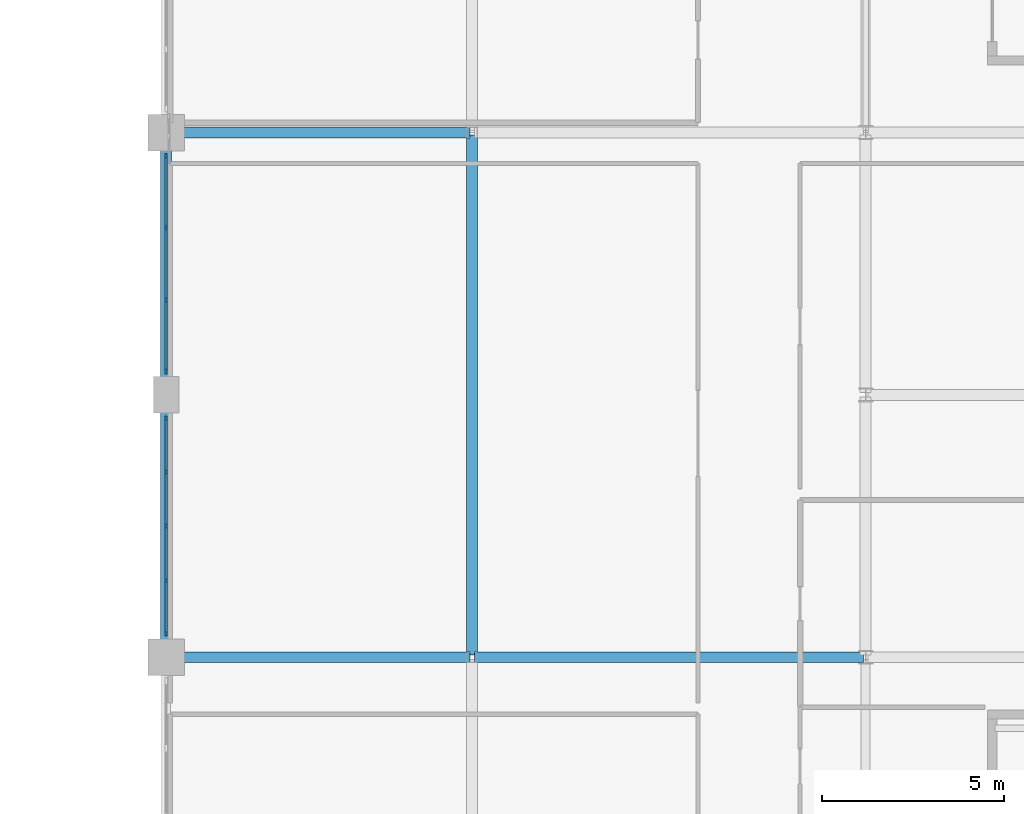
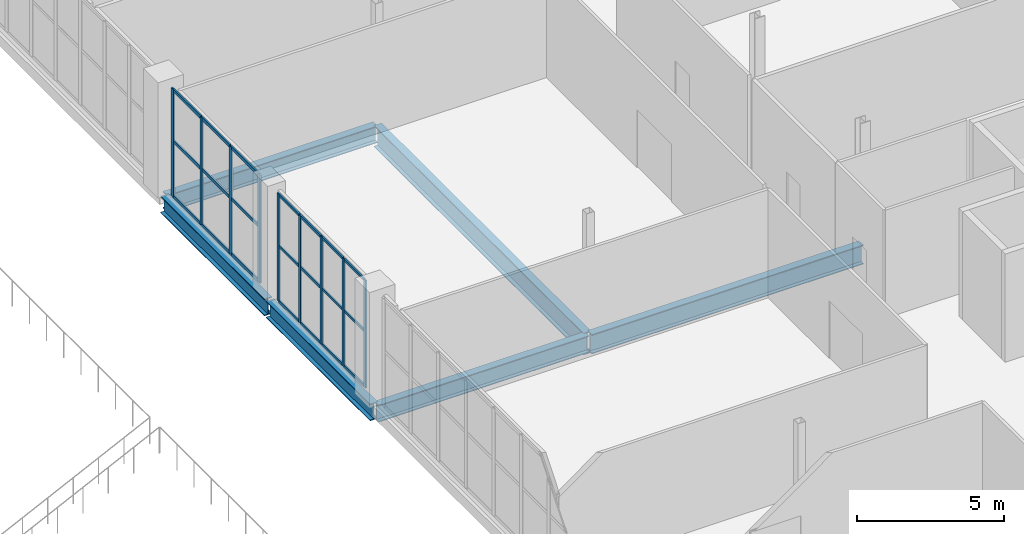
# One storey, part 45 of 104: 30 members, 6 beams, 2 elements without a shape of their own.
"""IFC4 building model written with IfcOpenShell, lengths in metres."""

from ifc_helpers import new_model, si_unit, direction, frame, origin, origin_2d, place, context, subcontext, project, spatial, rectangle, i_section, extrude, material, material_profile, profile_set, type_object, element, aggregate, save


model = new_model("IFC4")

# Units and contexts
model_context = context("Model", 3, precision=1e-05, world=origin(), true_north=direction((0.0, 1.0)))
body_context = subcontext(model_context, "Body", "Model", "MODEL_VIEW")
ifc_project = project(units=[si_unit("LENGTHUNIT", "METRE"), si_unit("AREAUNIT", "SQUARE_METRE"), si_unit("VOLUMEUNIT", "CUBIC_METRE"), si_unit("PLANEANGLEUNIT", "RADIAN"), si_unit("MASSUNIT", "GRAM", prefix="KILO")], contexts=[model_context])

# Site, building, storey
site_placement = place(None, origin())
site = spatial("IfcSite", under=ifc_project, at=site_placement, CompositionType="ELEMENT")
building_placement = place(site_placement, origin())
building = spatial("IfcBuilding", under=site, at=building_placement, Name="Koshinbarg Plaza Stadium", CompositionType="ELEMENT")
storey_placement = place(building_placement, frame((0.0, 0.0, 19.800048828125)))
storey = spatial("IfcBuildingStorey", under=building, at=storey_placement, Name="L04", CompositionType="ELEMENT", Elevation=19.800048828125)

# Beams
ifc_material_1 = material(Name="Steel S355", Category="steel")
ifc_material_profile_1 = material_profile(ifc_material_1, i_section(OverallWidth=0.300048828125, OverallDepth=0.699951171875, WebThickness=0.01708984375, FlangeThickness=0.031982421875, at=origin_2d()), Name="HEB 700")
ifc_profile_set_1 = profile_set([ifc_material_profile_1], Name="Steel S355")
beam_type_1 = type_object("IfcBeamType", Name="BM-SGIR-03", PredefinedType="USERDEFINED", material=ifc_profile_set_1)
for number, where, z_axis, x_axis, name in (
    (1, (189.4599609375, 97.5, -0.650146484375), (1.0, 0.0, 0.0), (0.0, 1.0, 0.0), "L04 X girder N/18-19"),
    (2, (189.4599609375, 111.89990234375, -0.650146484375), (1.0, 0.0, 0.0), (0.0, 1.0, 0.0), "L04 X girder Q/18-19"),
):
    element("IfcBeam", number, at=place(storey_placement, frame(where, z_axis=z_axis, x_axis=x_axis)), inside=storey, type_object=beam_type_1, Name=name, ObjectType="GIRDER", PredefinedType="USERDEFINED", context=body_context, shape_type="SweptSolid", body=[
        extrude(i_section(OverallWidth=0.300048828125, OverallDepth=0.699951171875, WebThickness=0.01708984375, FlangeThickness=0.031982421875, at=origin_2d()), origin(), (0.0, 0.0, 1.0), 8.280029296875),
    ])
beam_1_placement = place(storey_placement, frame((189.39990234375, 97.56005859375, -0.650146484375), z_axis=(0.0, 1.0, 0.0), x_axis=(-1.0, 0.0, 0.0)))
element("IfcBeam", 3, at=beam_1_placement, inside=storey, type_object=beam_type_1, Name="L04 Y girder 18/N-P", ObjectType="GIRDER", PredefinedType="USERDEFINED", context=body_context, shape_type="SweptSolid", body=[
    extrude(i_section(OverallWidth=0.300048828125, OverallDepth=0.699951171875, WebThickness=0.01708984375, FlangeThickness=0.031982421875, at=origin_2d()), origin(), (0.0, 0.0, 1.0), 7.079833984375),
])
beam_2_placement = place(storey_placement, frame((189.39990234375, 104.760009765625, -0.650146484375), z_axis=(0.0, 1.0, 0.0), x_axis=(-1.0, 0.0, 0.0)))
element("IfcBeam", 4, at=beam_2_placement, inside=storey, type_object=beam_type_1, Name="L04 Y girder 18/P-Q", ObjectType="GIRDER", PredefinedType="USERDEFINED", context=body_context, shape_type="SweptSolid", body=[
    extrude(i_section(OverallWidth=0.300048828125, OverallDepth=0.699951171875, WebThickness=0.01708984375, FlangeThickness=0.031982421875, at=origin_2d()), origin(), (0.0, 0.0, 1.0), 7.080078125),
])
ifc_material_profile_2 = material_profile(ifc_material_1, i_section(OverallWidth=0.300048828125, OverallDepth=0.800048828125, WebThickness=0.017578125, FlangeThickness=0.032958984375, at=origin_2d()), Name="HEB 800")
ifc_profile_set_2 = profile_set([ifc_material_profile_2], Name="Steel S355")
beam_type_2 = type_object("IfcBeamType", Name="BM-SGIR-04", PredefinedType="USERDEFINED", material=ifc_profile_set_2)
beam_3_placement = place(storey_placement, frame((197.860107421875, 97.5, -0.699951171875), z_axis=(1.0, 0.0, 0.0), x_axis=(0.0, 1.0, 0.0)))
element("IfcBeam", 5, at=beam_3_placement, inside=storey, type_object=beam_type_2, Name="L04 X girder N/19-20", ObjectType="GIRDER", PredefinedType="USERDEFINED", context=body_context, shape_type="SweptSolid", body=[
    extrude(i_section(OverallWidth=0.300048828125, OverallDepth=0.800048828125, WebThickness=0.017578125, FlangeThickness=0.032958984375, at=origin_2d()), origin(), (0.0, 0.0, 1.0), 10.679931640625),
])
ifc_material_profile_3 = material_profile(ifc_material_1, i_section(OverallWidth=0.300048828125, OverallDepth=0.89990234375, WebThickness=0.0185546875, FlangeThickness=0.034912109375, at=origin_2d()), Name="HEB 900")
ifc_profile_set_3 = profile_set([ifc_material_profile_3], Name="Steel S355")
beam_type_3 = type_object("IfcBeamType", Name="BM-SGIR-05", PredefinedType="USERDEFINED", material=ifc_profile_set_3)
beam_4_placement = place(storey_placement, frame((197.800048828125, 97.56005859375, -0.75), z_axis=(0.0, 1.0, 0.0), x_axis=(-1.0, 0.0, 0.0)))
element("IfcBeam", 6, at=beam_4_placement, inside=storey, type_object=beam_type_3, Name="L04 Y girder 19/N-Q", ObjectType="GIRDER", PredefinedType="USERDEFINED", context=body_context, shape_type="SweptSolid", body=[
    extrude(i_section(OverallWidth=0.300048828125, OverallDepth=0.89990234375, WebThickness=0.0185546875, FlangeThickness=0.034912109375, at=origin_2d()), origin(), (0.0, 0.0, 1.0), 14.280029296875),
])

# Curtain wall, members
ifc_material_2 = material(Name="Thermally broken anodised aluminium and low-E double glazing", Category="aluminium")
curtain_wall_type_1 = type_object("IfcCurtainWallType", Name="CW-SYS-01", PredefinedType="NOTDEFINED", material=ifc_material_2)
curtain_wall_1_placement = place(storey_placement, origin())
curtain_wall_1 = element("IfcCurtainWall", 7, at=curtain_wall_1_placement, inside=storey, type_object=curtain_wall_type_1, Name="L04 unitised curtain wall CW-L04-128", PredefinedType="NOTDEFINED")
ifc_material_3 = material(Name="Anodised aluminium mullion", Category="aluminium")
ifc_material_profile_4 = material_profile(ifc_material_3, rectangle(XDim=0.06005859375, YDim=0.139892578125, at=origin_2d()), Name="ALU 60x140")
ifc_profile_set_4 = profile_set([ifc_material_profile_4], Name="Anodised aluminium mullion")
member_type_1 = type_object("IfcMemberType", Name="CW-MUL-01", PredefinedType="MULLION", material=ifc_profile_set_4)
member_1_placement = place(storey_placement, frame((189.39990234375, 98.14990234375, 0.0), z_axis=(0.0, 0.0, 1.0), x_axis=(-1.0, 0.0, 0.0)))
member_1 = element("IfcMember", 8, at=member_1_placement, type_object=member_type_1, Name="CW01 mullion 1", PredefinedType="MULLION", context=body_context, shape_type="SweptSolid", body=[
    extrude(rectangle(XDim=0.06005859375, YDim=0.139892578125, at=origin_2d()), origin(), (0.0, 0.0, 1.0), 4.47998046875),
])
member_2_placement = place(storey_placement, frame((189.39990234375, 99.610107421875, 0.0), z_axis=(0.0, 0.0, 1.0), x_axis=(-1.0, 0.0, 0.0)))
member_2 = element("IfcMember", 9, at=member_2_placement, type_object=member_type_1, Name="CW01 mullion 2", PredefinedType="MULLION", context=body_context, shape_type="SweptSolid", body=[
    extrude(rectangle(XDim=0.06005859375, YDim=0.139892578125, at=origin_2d()), origin(), (0.0, 0.0, 1.0), 4.47998046875),
])
member_3_placement = place(storey_placement, frame((189.39990234375, 101.10009765625, 0.0), z_axis=(0.0, 0.0, 1.0), x_axis=(-1.0, 0.0, 0.0)))
member_3 = element("IfcMember", 10, at=member_3_placement, type_object=member_type_1, Name="CW01 mullion 3", PredefinedType="MULLION", context=body_context, shape_type="SweptSolid", body=[
    extrude(rectangle(XDim=0.06005859375, YDim=0.139892578125, at=origin_2d()), origin(), (0.0, 0.0, 1.0), 4.47998046875),
])
member_4_placement = place(storey_placement, frame((189.39990234375, 102.590087890625, 0.0), z_axis=(0.0, 0.0, 1.0), x_axis=(-1.0, 0.0, 0.0)))
member_4 = element("IfcMember", 11, at=member_4_placement, type_object=member_type_1, Name="CW01 mullion 4", PredefinedType="MULLION", context=body_context, shape_type="SweptSolid", body=[
    extrude(rectangle(XDim=0.06005859375, YDim=0.139892578125, at=origin_2d()), origin(), (0.0, 0.0, 1.0), 4.47998046875),
])
member_5_placement = place(storey_placement, frame((189.39990234375, 104.050048828125, 0.0), z_axis=(0.0, 0.0, 1.0), x_axis=(-1.0, 0.0, 0.0)))
member_5 = element("IfcMember", 12, at=member_5_placement, type_object=member_type_1, Name="CW01 mullion 5", PredefinedType="MULLION", context=body_context, shape_type="SweptSolid", body=[
    extrude(rectangle(XDim=0.06005859375, YDim=0.139892578125, at=origin_2d()), origin(), (0.0, 0.0, 1.0), 4.47998046875),
])

curtain_wall_type_2 = type_object("IfcCurtainWallType", Name="CW-SYS-02", PredefinedType="NOTDEFINED", material=ifc_material_2)
curtain_wall_2_placement = place(storey_placement, origin())
curtain_wall_2 = element("IfcCurtainWall", 13, at=curtain_wall_2_placement, inside=storey, type_object=curtain_wall_type_2, Name="L04 unitised curtain wall CW-L04-129", PredefinedType="NOTDEFINED")
ifc_material_profile_5 = material_profile(ifc_material_3, rectangle(XDim=0.06005859375, YDim=0.159912109375, at=origin_2d()), Name="ALU 60x160")
ifc_profile_set_5 = profile_set([ifc_material_profile_5], Name="Anodised aluminium mullion")
member_type_2 = type_object("IfcMemberType", Name="CW-MUL-02", PredefinedType="MULLION", material=ifc_profile_set_5)
member_6_placement = place(storey_placement, frame((189.39990234375, 105.35009765625, 0.0), z_axis=(0.0, 0.0, 1.0), x_axis=(-1.0, 0.0, 0.0)))
member_6 = element("IfcMember", 14, at=member_6_placement, type_object=member_type_2, Name="CW02 mullion 1", PredefinedType="MULLION", context=body_context, shape_type="SweptSolid", body=[
    extrude(rectangle(XDim=0.06005859375, YDim=0.159912109375, at=origin_2d()), origin(), (0.0, 0.0, 1.0), 4.47998046875),
])
member_7_placement = place(storey_placement, frame((189.39990234375, 107.306640625, 0.0), z_axis=(0.0, 0.0, 1.0), x_axis=(-1.0, 0.0, 0.0)))
member_7 = element("IfcMember", 15, at=member_7_placement, type_object=member_type_2, Name="CW02 mullion 2", PredefinedType="MULLION", context=body_context, shape_type="SweptSolid", body=[
    extrude(rectangle(XDim=0.06005859375, YDim=0.159912109375, at=origin_2d()), origin(), (0.0, 0.0, 1.0), 4.47998046875),
])
member_8_placement = place(storey_placement, frame((189.39990234375, 109.293212890625, 0.0), z_axis=(0.0, 0.0, 1.0), x_axis=(-1.0, 0.0, 0.0)))
member_8 = element("IfcMember", 16, at=member_8_placement, type_object=member_type_2, Name="CW02 mullion 3", PredefinedType="MULLION", context=body_context, shape_type="SweptSolid", body=[
    extrude(rectangle(XDim=0.06005859375, YDim=0.159912109375, at=origin_2d()), origin(), (0.0, 0.0, 1.0), 4.47998046875),
])
member_9_placement = place(storey_placement, frame((189.39990234375, 111.25, 0.0), z_axis=(0.0, 0.0, 1.0), x_axis=(-1.0, 0.0, 0.0)))
member_9 = element("IfcMember", 17, at=member_9_placement, type_object=member_type_2, Name="CW02 mullion 4", PredefinedType="MULLION", context=body_context, shape_type="SweptSolid", body=[
    extrude(rectangle(XDim=0.06005859375, YDim=0.159912109375, at=origin_2d()), origin(), (0.0, 0.0, 1.0), 4.47998046875),
])

# Member
ifc_material_4 = material(Name="Anodised aluminium transom", Category="aluminium")
ifc_material_profile_6 = material_profile(ifc_material_4, rectangle(XDim=0.06005859375, YDim=0.110107421875, at=origin_2d()), Name="ALU 60x110")
ifc_profile_set_6 = profile_set([ifc_material_profile_6], Name="Anodised aluminium transom")
member_type_3 = type_object("IfcMemberType", Name="CW-TRN-01", PredefinedType="USERDEFINED", material=ifc_profile_set_6)
member_10_placement = place(storey_placement, frame((189.39990234375, 98.179931640625, 0.030029296875), z_axis=(0.0, 1.0, 0.0), x_axis=(-1.0, 0.0, 0.0)))
member_10 = element("IfcMember", 18, at=member_10_placement, type_object=member_type_3, Name="CW01 transom 1.1", ObjectType="TRANSOM", PredefinedType="USERDEFINED", context=body_context, shape_type="SweptSolid", body=[
    extrude(rectangle(XDim=0.06005859375, YDim=0.110107421875, at=origin_2d()), origin(), (0.0, 0.0, 1.0), 1.400146484375),
])

member_11_placement = place(storey_placement, frame((189.39990234375, 98.179931640625, 2.32958984375), z_axis=(0.0, 1.0, 0.0), x_axis=(-1.0, 0.0, 0.0)))
member_11 = element("IfcMember", 19, at=member_11_placement, type_object=member_type_3, Name="CW01 transom 1.2", ObjectType="TRANSOM", PredefinedType="USERDEFINED", context=body_context, shape_type="SweptSolid", body=[
    extrude(rectangle(XDim=0.06005859375, YDim=0.110107421875, at=origin_2d()), origin(), (0.0, 0.0, 1.0), 1.400146484375),
])

member_12_placement = place(storey_placement, frame((189.39990234375, 98.179931640625, 4.449951171875), z_axis=(0.0, 1.0, 0.0), x_axis=(-1.0, 0.0, 0.0)))
member_12 = element("IfcMember", 20, at=member_12_placement, type_object=member_type_3, Name="CW01 transom 1.3", ObjectType="TRANSOM", PredefinedType="USERDEFINED", context=body_context, shape_type="SweptSolid", body=[
    extrude(rectangle(XDim=0.06005859375, YDim=0.110107421875, at=origin_2d()), origin(), (0.0, 0.0, 1.0), 1.400146484375),
])

member_13_placement = place(storey_placement, frame((189.39990234375, 99.639892578125, 0.030029296875), z_axis=(0.0, 1.0, 0.0), x_axis=(-1.0, 0.0, 0.0)))
member_13 = element("IfcMember", 21, at=member_13_placement, type_object=member_type_3, Name="CW01 transom 2.1", ObjectType="TRANSOM", PredefinedType="USERDEFINED", context=body_context, shape_type="SweptSolid", body=[
    extrude(rectangle(XDim=0.06005859375, YDim=0.110107421875, at=origin_2d()), origin(), (0.0, 0.0, 1.0), 1.43017578125),
])

member_14_placement = place(storey_placement, frame((189.39990234375, 99.639892578125, 2.32958984375), z_axis=(0.0, 1.0, 0.0), x_axis=(-1.0, 0.0, 0.0)))
member_14 = element("IfcMember", 22, at=member_14_placement, type_object=member_type_3, Name="CW01 transom 2.2", ObjectType="TRANSOM", PredefinedType="USERDEFINED", context=body_context, shape_type="SweptSolid", body=[
    extrude(rectangle(XDim=0.06005859375, YDim=0.110107421875, at=origin_2d()), origin(), (0.0, 0.0, 1.0), 1.43017578125),
])

member_15_placement = place(storey_placement, frame((189.39990234375, 99.639892578125, 4.449951171875), z_axis=(0.0, 1.0, 0.0), x_axis=(-1.0, 0.0, 0.0)))
member_15 = element("IfcMember", 23, at=member_15_placement, type_object=member_type_3, Name="CW01 transom 2.3", ObjectType="TRANSOM", PredefinedType="USERDEFINED", context=body_context, shape_type="SweptSolid", body=[
    extrude(rectangle(XDim=0.06005859375, YDim=0.110107421875, at=origin_2d()), origin(), (0.0, 0.0, 1.0), 1.43017578125),
])

member_16_placement = place(storey_placement, frame((189.39990234375, 101.1298828125, 0.030029296875), z_axis=(0.0, 1.0, 0.0), x_axis=(-1.0, 0.0, 0.0)))
member_16 = element("IfcMember", 24, at=member_16_placement, type_object=member_type_3, Name="CW01 transom 3.1", ObjectType="TRANSOM", PredefinedType="USERDEFINED", context=body_context, shape_type="SweptSolid", body=[
    extrude(rectangle(XDim=0.06005859375, YDim=0.110107421875, at=origin_2d()), origin(), (0.0, 0.0, 1.0), 1.43017578125),
])

member_17_placement = place(storey_placement, frame((189.39990234375, 101.1298828125, 2.32958984375), z_axis=(0.0, 1.0, 0.0), x_axis=(-1.0, 0.0, 0.0)))
member_17 = element("IfcMember", 25, at=member_17_placement, type_object=member_type_3, Name="CW01 transom 3.2", ObjectType="TRANSOM", PredefinedType="USERDEFINED", context=body_context, shape_type="SweptSolid", body=[
    extrude(rectangle(XDim=0.06005859375, YDim=0.110107421875, at=origin_2d()), origin(), (0.0, 0.0, 1.0), 1.43017578125),
])

member_18_placement = place(storey_placement, frame((189.39990234375, 101.1298828125, 4.449951171875), z_axis=(0.0, 1.0, 0.0), x_axis=(-1.0, 0.0, 0.0)))
member_18 = element("IfcMember", 26, at=member_18_placement, type_object=member_type_3, Name="CW01 transom 3.3", ObjectType="TRANSOM", PredefinedType="USERDEFINED", context=body_context, shape_type="SweptSolid", body=[
    extrude(rectangle(XDim=0.06005859375, YDim=0.110107421875, at=origin_2d()), origin(), (0.0, 0.0, 1.0), 1.43017578125),
])

member_19_placement = place(storey_placement, frame((189.39990234375, 102.6201171875, 0.030029296875), z_axis=(0.0, 1.0, 0.0), x_axis=(-1.0, 0.0, 0.0)))
member_19 = element("IfcMember", 27, at=member_19_placement, type_object=member_type_3, Name="CW01 transom 4.1", ObjectType="TRANSOM", PredefinedType="USERDEFINED", context=body_context, shape_type="SweptSolid", body=[
    extrude(rectangle(XDim=0.06005859375, YDim=0.110107421875, at=origin_2d()), origin(), (0.0, 0.0, 1.0), 1.39990234375),
])

member_20_placement = place(storey_placement, frame((189.39990234375, 102.6201171875, 2.32958984375), z_axis=(0.0, 1.0, 0.0), x_axis=(-1.0, 0.0, 0.0)))
member_20 = element("IfcMember", 28, at=member_20_placement, type_object=member_type_3, Name="CW01 transom 4.2", ObjectType="TRANSOM", PredefinedType="USERDEFINED", context=body_context, shape_type="SweptSolid", body=[
    extrude(rectangle(XDim=0.06005859375, YDim=0.110107421875, at=origin_2d()), origin(), (0.0, 0.0, 1.0), 1.39990234375),
])

member_21_placement = place(storey_placement, frame((189.39990234375, 102.6201171875, 4.449951171875), z_axis=(0.0, 1.0, 0.0), x_axis=(-1.0, 0.0, 0.0)))
member_21 = element("IfcMember", 29, at=member_21_placement, type_object=member_type_3, Name="CW01 transom 4.3", ObjectType="TRANSOM", PredefinedType="USERDEFINED", context=body_context, shape_type="SweptSolid", body=[
    extrude(rectangle(XDim=0.06005859375, YDim=0.110107421875, at=origin_2d()), origin(), (0.0, 0.0, 1.0), 1.39990234375),
])

aggregate(curtain_wall_1, [member_1, member_2, member_3, member_4, member_5, member_10, member_11, member_12, member_13, member_14, member_15, member_16, member_17, member_18, member_19, member_20, member_21])

ifc_material_profile_7 = material_profile(ifc_material_4, rectangle(XDim=0.06005859375, YDim=0.1298828125, at=origin_2d()), Name="ALU 60x130")
ifc_profile_set_7 = profile_set([ifc_material_profile_7], Name="Anodised aluminium transom")
member_type_4 = type_object("IfcMemberType", Name="CW-TRN-02", PredefinedType="USERDEFINED", material=ifc_profile_set_7)
member_22_placement = place(storey_placement, frame((189.39990234375, 105.3798828125, 0.030029296875), z_axis=(0.0, 1.0, 0.0), x_axis=(-1.0, 0.0, 0.0)))
member_22 = element("IfcMember", 30, at=member_22_placement, type_object=member_type_4, Name="CW02 transom 1.1", ObjectType="TRANSOM", PredefinedType="USERDEFINED", context=body_context, shape_type="SweptSolid", body=[
    extrude(rectangle(XDim=0.06005859375, YDim=0.1298828125, at=origin_2d()), origin(), (0.0, 0.0, 1.0), 1.896728515625),
])

member_23_placement = place(storey_placement, frame((189.39990234375, 105.3798828125, 2.32958984375), z_axis=(0.0, 1.0, 0.0), x_axis=(-1.0, 0.0, 0.0)))
member_23 = element("IfcMember", 31, at=member_23_placement, type_object=member_type_4, Name="CW02 transom 1.2", ObjectType="TRANSOM", PredefinedType="USERDEFINED", context=body_context, shape_type="SweptSolid", body=[
    extrude(rectangle(XDim=0.06005859375, YDim=0.1298828125, at=origin_2d()), origin(), (0.0, 0.0, 1.0), 1.896728515625),
])

member_24_placement = place(storey_placement, frame((189.39990234375, 105.3798828125, 4.449951171875), z_axis=(0.0, 1.0, 0.0), x_axis=(-1.0, 0.0, 0.0)))
member_24 = element("IfcMember", 32, at=member_24_placement, type_object=member_type_4, Name="CW02 transom 1.3", ObjectType="TRANSOM", PredefinedType="USERDEFINED", context=body_context, shape_type="SweptSolid", body=[
    extrude(rectangle(XDim=0.06005859375, YDim=0.1298828125, at=origin_2d()), origin(), (0.0, 0.0, 1.0), 1.896728515625),
])

member_25_placement = place(storey_placement, frame((189.39990234375, 107.336669921875, 0.030029296875), z_axis=(0.0, 1.0, 0.0), x_axis=(-1.0, 0.0, 0.0)))
member_25 = element("IfcMember", 33, at=member_25_placement, type_object=member_type_4, Name="CW02 transom 2.1", ObjectType="TRANSOM", PredefinedType="USERDEFINED", context=body_context, shape_type="SweptSolid", body=[
    extrude(rectangle(XDim=0.06005859375, YDim=0.1298828125, at=origin_2d()), origin(), (0.0, 0.0, 1.0), 1.9267578125),
])

member_26_placement = place(storey_placement, frame((189.39990234375, 107.336669921875, 2.32958984375), z_axis=(0.0, 1.0, 0.0), x_axis=(-1.0, 0.0, 0.0)))
member_26 = element("IfcMember", 34, at=member_26_placement, type_object=member_type_4, Name="CW02 transom 2.2", ObjectType="TRANSOM", PredefinedType="USERDEFINED", context=body_context, shape_type="SweptSolid", body=[
    extrude(rectangle(XDim=0.06005859375, YDim=0.1298828125, at=origin_2d()), origin(), (0.0, 0.0, 1.0), 1.9267578125),
])

member_27_placement = place(storey_placement, frame((189.39990234375, 107.336669921875, 4.449951171875), z_axis=(0.0, 1.0, 0.0), x_axis=(-1.0, 0.0, 0.0)))
member_27 = element("IfcMember", 35, at=member_27_placement, type_object=member_type_4, Name="CW02 transom 2.3", ObjectType="TRANSOM", PredefinedType="USERDEFINED", context=body_context, shape_type="SweptSolid", body=[
    extrude(rectangle(XDim=0.06005859375, YDim=0.1298828125, at=origin_2d()), origin(), (0.0, 0.0, 1.0), 1.9267578125),
])

member_28_placement = place(storey_placement, frame((189.39990234375, 109.3232421875, 0.030029296875), z_axis=(0.0, 1.0, 0.0), x_axis=(-1.0, 0.0, 0.0)))
member_28 = element("IfcMember", 36, at=member_28_placement, type_object=member_type_4, Name="CW02 transom 3.1", ObjectType="TRANSOM", PredefinedType="USERDEFINED", context=body_context, shape_type="SweptSolid", body=[
    extrude(rectangle(XDim=0.06005859375, YDim=0.1298828125, at=origin_2d()), origin(), (0.0, 0.0, 1.0), 1.896728515625),
])

member_29_placement = place(storey_placement, frame((189.39990234375, 109.3232421875, 2.32958984375), z_axis=(0.0, 1.0, 0.0), x_axis=(-1.0, 0.0, 0.0)))
member_29 = element("IfcMember", 37, at=member_29_placement, type_object=member_type_4, Name="CW02 transom 3.2", ObjectType="TRANSOM", PredefinedType="USERDEFINED", context=body_context, shape_type="SweptSolid", body=[
    extrude(rectangle(XDim=0.06005859375, YDim=0.1298828125, at=origin_2d()), origin(), (0.0, 0.0, 1.0), 1.896728515625),
])

member_30_placement = place(storey_placement, frame((189.39990234375, 109.3232421875, 4.449951171875), z_axis=(0.0, 1.0, 0.0), x_axis=(-1.0, 0.0, 0.0)))
member_30 = element("IfcMember", 38, at=member_30_placement, type_object=member_type_4, Name="CW02 transom 3.3", ObjectType="TRANSOM", PredefinedType="USERDEFINED", context=body_context, shape_type="SweptSolid", body=[
    extrude(rectangle(XDim=0.06005859375, YDim=0.1298828125, at=origin_2d()), origin(), (0.0, 0.0, 1.0), 1.896728515625),
])

aggregate(curtain_wall_2, [member_6, member_7, member_8, member_9, member_22, member_23, member_24, member_25, member_26, member_27, member_28, member_29, member_30])

save(model, "model.ifc")
